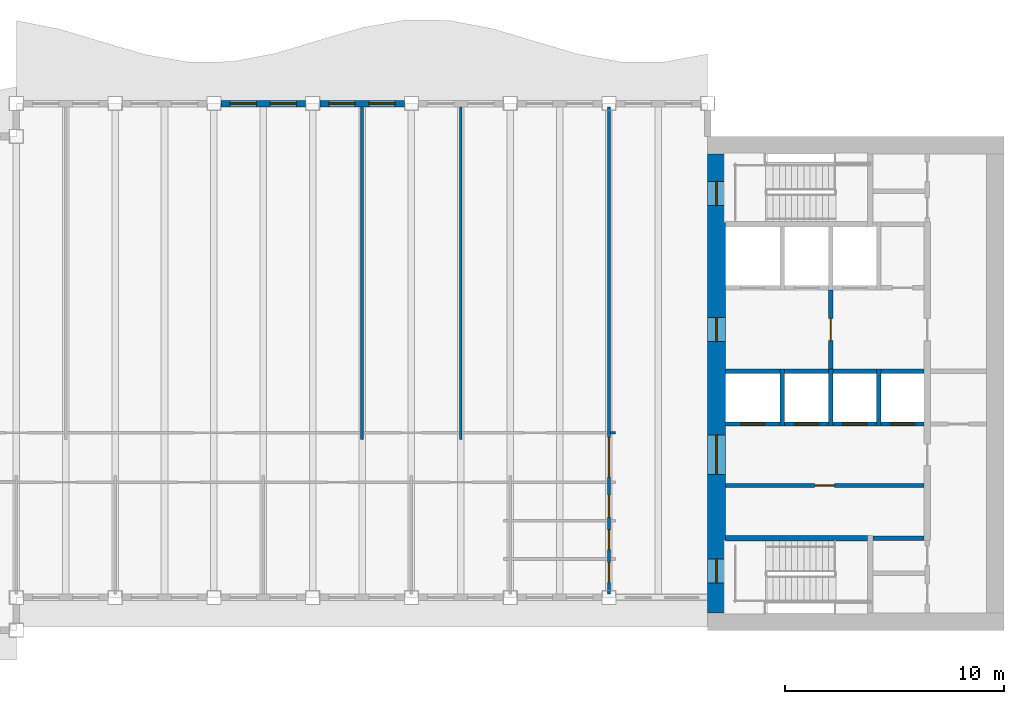
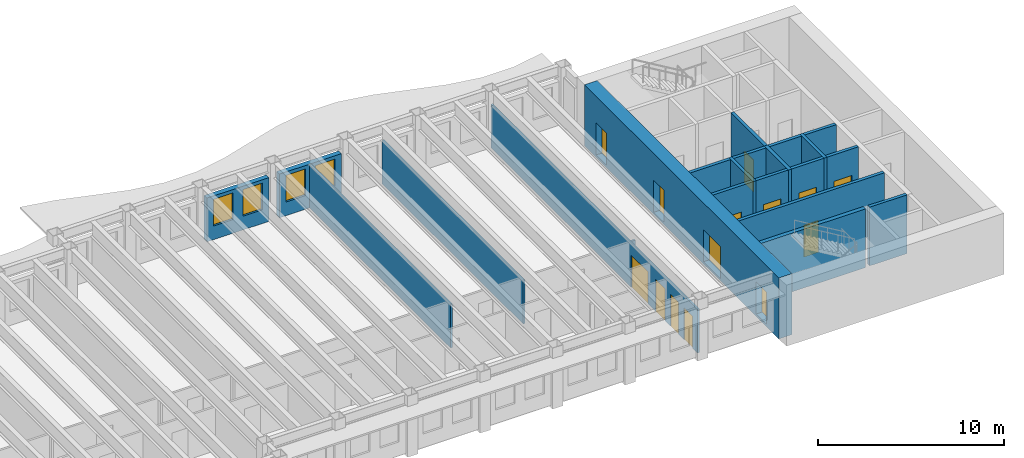
# One storey, part 5 of 12: 22 walls, 14 doors, 4 windows, 18 openings.
"""IFC4 building model written with IfcOpenShell, lengths in metres."""

from ifc_helpers import new_model, si_unit, direction, frame, frame_2d, origin, place, context, subcontext, project, spatial, rectangle, extrude, material, layer, layer_set, type_object, element, fill, save


model = new_model("IFC4")

# Units and contexts
model_context = context("Model", 3, precision=1e-05, world=origin(), true_north=direction((0.0, 1.0)))
body_context = subcontext(model_context, "Body", "Model", "MODEL_VIEW")
ifc_project = project(units=[si_unit("LENGTHUNIT", "METRE"), si_unit("AREAUNIT", "SQUARE_METRE"), si_unit("VOLUMEUNIT", "CUBIC_METRE"), si_unit("PLANEANGLEUNIT", "RADIAN"), si_unit("MASSUNIT", "GRAM", prefix="KILO")], contexts=[model_context])

# Site, building, storey
site_placement = place(None, origin())
site = spatial("IfcSite", under=ifc_project, at=site_placement, CompositionType="ELEMENT")
building_placement = place(site_placement, origin())
building = spatial("IfcBuilding", under=site, at=building_placement, Name="Sennacour Bend Tower", CompositionType="ELEMENT")
storey_placement = place(building_placement, frame((0.0, 0.0, 273.0)))
storey = spatial("IfcBuildingStorey", under=building, at=storey_placement, Name="L63", CompositionType="ELEMENT", Elevation=273.0)

# Wall, openings, doors
ifc_material_1 = material(Name="Concrete C50/60", Category="concrete")
ifc_layer_1 = layer(ifc_material_1, 0.800048828125, Name="Concrete C50/60", Category="concrete")
ifc_layer_set_1 = layer_set([ifc_layer_1], Name="Concrete C50/60")
wall_type_1 = type_object("IfcWallType", Name="Core wall 800 C50/60", PredefinedType="SHEAR", material=ifc_layer_set_1)
wall_1_placement = place(storey_placement, frame((54.39990234375, 0.800048828125, -0.14990234375), z_axis=(0.0, 0.0, 1.0), x_axis=(0.0, 1.0, 0.0)))
wall_1 = element("IfcWall", 1, at=wall_1_placement, inside=storey, type_object=wall_type_1, Name="Core A wall L63 W", PredefinedType="SHEAR", context=body_context, shape_type="SweptSolid", body=[
    extrude(rectangle(XDim=20.89990234375, YDim=0.800048828125, at=frame_2d((10.449951171875, 0.0))), origin(), (0.0, 0.0, 1.0), 4.0),
])
opening_1_placement = place(wall_1_placement, frame((6.300048828125, 0.0, 0.14990234375)))
opening_1 = element("IfcOpeningElement", 2, at=opening_1_placement, cuts=wall_1, Name="Opening CD", PredefinedType="OPENING", context=body_context, shape_type="SweptSolid", body=[
    extrude(rectangle(XDim=1.800048828125, YDim=2.10009765625, at=frame_2d((0.89990234375, 1.050048828125))), frame((0.0, 0.41015625, 0.0), z_axis=(0.0, -1.0, 0.0), x_axis=(1.0, 0.0, 0.0)), (0.0, 0.0, 1.0), 0.820068359375),
])
opening_2_placement = place(wall_1_placement, frame((12.35009765625, 0.0, 0.14990234375)))
opening_2 = element("IfcOpeningElement", 3, at=opening_2_placement, cuts=wall_1, Name="Opening FD", PredefinedType="OPENING", context=body_context, shape_type="SweptSolid", body=[
    extrude(rectangle(XDim=1.10009765625, YDim=2.10009765625, at=frame_2d((0.550048828125, 1.050048828125))), frame((0.0, 0.41015625, 0.0), z_axis=(0.0, -1.0, 0.0), x_axis=(1.0, 0.0, 0.0)), (0.0, 0.0, 1.0), 0.820068359375),
])
opening_3_placement = place(wall_1_placement, frame((1.35009765625, 0.0, 0.14990234375)))
opening_3 = element("IfcOpeningElement", 4, at=opening_3_placement, cuts=wall_1, Name="Opening SD", PredefinedType="OPENING", context=body_context, shape_type="SweptSolid", body=[
    extrude(rectangle(XDim=1.10009765625, YDim=2.10009765625, at=frame_2d((0.550048828125, 1.050048828125))), frame((0.0, 0.41015625, 0.0), z_axis=(0.0, -1.0, 0.0), x_axis=(1.0, 0.0, 0.0)), (0.0, 0.0, 1.0), 0.820068359375),
])
opening_4_placement = place(wall_1_placement, frame((18.550048828125, 0.0, 0.14990234375)))
opening_4 = element("IfcOpeningElement", 5, at=opening_4_placement, cuts=wall_1, Name="Opening SD", PredefinedType="OPENING", context=body_context, shape_type="SweptSolid", body=[
    extrude(rectangle(XDim=1.10009765625, YDim=2.10009765625, at=frame_2d((0.550048828125, 1.050048828125))), frame((0.0, 0.41015625, 0.0), z_axis=(0.0, -1.0, 0.0), x_axis=(1.0, 0.0, 0.0)), (0.0, 0.0, 1.0), 0.820068359375),
])
ifc_material_2 = material(Name="Painted steel", Category="steel")
door_type_1 = type_object("IfcDoorType", Name="DR-FFL-1100", OperationType="NOTDEFINED", PredefinedType="DOOR", material=ifc_material_2)
door_1_placement = place(opening_2_placement, origin())
door_1 = element("IfcDoor", 6, at=door_1_placement, inside=storey, type_object=door_type_1, Name="Door", OperationType="SINGLE_SWING_RIGHT", OverallHeight=2.10009765625, OverallWidth=1.10009765625, PredefinedType="DOOR", context=body_context, shape_type="SweptSolid", body=[
    extrude(rectangle(XDim=1.10009765625, YDim=2.10009765625, at=frame_2d((0.550048828125, 1.050048828125))), frame((0.0, 0.02490234375, 0.0), z_axis=(0.0, -1.0, 0.0), x_axis=(1.0, 0.0, 0.0)), (0.0, 0.0, 1.0), 0.050048828125),
])
fill(opening_2, door_1)
door_type_2 = type_object("IfcDoorType", Name="DR-LOBBY-1800", OperationType="NOTDEFINED", PredefinedType="DOOR", material=ifc_material_2)
door_2_placement = place(opening_1_placement, origin())
door_2 = element("IfcDoor", 7, at=door_2_placement, inside=storey, type_object=door_type_2, Name="Door", OperationType="DOUBLE_DOOR_SINGLE_SWING", OverallHeight=2.10009765625, OverallWidth=1.800048828125, PredefinedType="DOOR", context=body_context, shape_type="SweptSolid", body=[
    extrude(rectangle(XDim=1.800048828125, YDim=2.10009765625, at=frame_2d((0.89990234375, 1.050048828125))), frame((0.0, 0.02490234375, 0.0), z_axis=(0.0, -1.0, 0.0), x_axis=(1.0, 0.0, 0.0)), (0.0, 0.0, 1.0), 0.050048828125),
])
fill(opening_1, door_2)
door_type_3 = type_object("IfcDoorType", Name="DR-STAIR-1100", OperationType="NOTDEFINED", PredefinedType="DOOR", material=ifc_material_2)
door_3_placement = place(opening_3_placement, origin())
door_3 = element("IfcDoor", 8, at=door_3_placement, inside=storey, type_object=door_type_3, Name="Door", OperationType="SINGLE_SWING_LEFT", OverallHeight=2.10009765625, OverallWidth=1.10009765625, PredefinedType="DOOR", context=body_context, shape_type="SweptSolid", body=[
    extrude(rectangle(XDim=1.10009765625, YDim=2.10009765625, at=frame_2d((0.550048828125, 1.050048828125))), frame((0.0, 0.02490234375, 0.0), z_axis=(0.0, -1.0, 0.0), x_axis=(1.0, 0.0, 0.0)), (0.0, 0.0, 1.0), 0.050048828125),
])
fill(opening_3, door_3)
door_4_placement = place(opening_4_placement, origin())
door_4 = element("IfcDoor", 9, at=door_4_placement, inside=storey, type_object=door_type_3, Name="Door", OperationType="SINGLE_SWING_RIGHT", OverallHeight=2.10009765625, OverallWidth=1.10009765625, PredefinedType="DOOR", context=body_context, shape_type="SweptSolid", body=[
    extrude(rectangle(XDim=1.10009765625, YDim=2.10009765625, at=frame_2d((0.550048828125, 1.050048828125))), frame((0.0, 0.02490234375, 0.0), z_axis=(0.0, -1.0, 0.0), x_axis=(1.0, 0.0, 0.0)), (0.0, 0.0, 1.0), 0.050048828125),
])
fill(opening_4, door_4)

# Walls
ifc_material_3 = material(Name="Plasterboard partition on steel studs", Category="steel")
ifc_layer_2 = layer(ifc_material_3, 0.1201171875, Name="Plasterboard partition on steel studs", Category="steel")
ifc_layer_set_2 = layer_set([ifc_layer_2], Name="Plasterboard partition on steel studs")
wall_type_2 = type_object("IfcWallType", Name="Partition 120", PredefinedType="PARTITIONING", material=ifc_layer_set_2)
for number, where, z_axis, x_axis, name in (
    (10, (38.25, 8.699951171875, 0.0), (0.0, 0.0, 1.0), (0.0, 1.0, 0.0), "P-L63-W014a"),
    (11, (42.75, 8.699951171875, 0.0), (0.0, 0.0, 1.0), (0.0, 1.0, 0.0), "P-L63-W016a"),
):
    element("IfcWall", number, at=place(storey_placement, frame(where, z_axis=z_axis, x_axis=x_axis)), inside=storey, type_object=wall_type_2, Name=name, PredefinedType="PARTITIONING", context=body_context, shape_type="SweptSolid", body=[
        extrude(rectangle(XDim=15.150146484375, YDim=0.1201171875, at=frame_2d((7.5751953125, 0.0))), origin(), (0.0, 0.0, 1.0), 2.8701171875),
    ])
wall_2_placement = place(storey_placement, frame((49.56005859375, 9.0, 0.0), z_axis=(0.0, 0.0, 1.0), x_axis=(1.0, 0.0, 0.0)))
element("IfcWall", 12, at=wall_2_placement, inside=storey, type_object=wall_type_2, Name="P-L63-W044ag", PredefinedType="PARTITIONING", context=body_context, shape_type="SweptSolid", body=[
    extrude(rectangle(XDim=0.239990234375, YDim=0.1201171875, at=frame_2d((0.1201171875, 0.0))), origin(), (0.0, 0.0, 1.0), 2.8701171875),
])

# Wall, openings, doors
ifc_layer_3 = layer(ifc_material_3, 0.1201171875, Name="Plasterboard partition on steel studs", Category="steel")
ifc_layer_set_3 = layer_set([ifc_layer_3], Name="Plasterboard partition on steel studs")
wall_type_3 = type_object("IfcWallType", Name="Partition 120 EI 30", PredefinedType="PARTITIONING", material=ifc_layer_set_3)
wall_3_placement = place(storey_placement, frame((49.5, 1.64990234375, 0.0), z_axis=(0.0, 0.0, 1.0), x_axis=(0.0, 1.0, 0.0)))
wall_3 = element("IfcWall", 13, at=wall_3_placement, inside=storey, type_object=wall_type_3, Name="P-L63-W018a", PredefinedType="PARTITIONING", context=body_context, shape_type="SweptSolid", body=[
    extrude(rectangle(XDim=22.2001953125, YDim=0.1201171875, at=frame_2d((11.10009765625, 0.0))), origin(), (0.0, 0.0, 1.0), 2.8701171875),
])
opening_5_placement = place(wall_3_placement, frame((5.3251953125, 0.0, 0.0)))
opening_5 = element("IfcOpeningElement", 14, at=opening_5_placement, cuts=wall_3, Name="Opening KD3", PredefinedType="OPENING", context=body_context, shape_type="SweptSolid", body=[
    extrude(rectangle(XDim=1.800048828125, YDim=2.10009765625, at=frame_2d((0.89990234375, 1.050048828125))), frame((0.0, 0.070068359375, 0.0), z_axis=(0.0, -1.0, 0.0), x_axis=(1.0, 0.0, 0.0)), (0.0, 0.0, 1.0), 0.14013671875),
])
opening_6_placement = place(wall_3_placement, frame((0.5400390625, 0.0, 0.0)))
opening_6 = element("IfcOpeningElement", 15, at=opening_6_placement, cuts=wall_3, Name="Opening WD", PredefinedType="OPENING", context=body_context, shape_type="SweptSolid", body=[
    extrude(rectangle(XDim=0.89990234375, YDim=2.10009765625, at=frame_2d((0.449951171875, 1.050048828125))), frame((0.0, 0.070068359375, 0.0), z_axis=(0.0, -1.0, 0.0), x_axis=(1.0, 0.0, 0.0)), (0.0, 0.0, 1.0), 0.14013671875),
])
opening_7_placement = place(wall_3_placement, frame((2.025146484375, 0.0, 0.0)))
opening_7 = element("IfcOpeningElement", 16, at=opening_7_placement, cuts=wall_3, Name="Opening WD", PredefinedType="OPENING", context=body_context, shape_type="SweptSolid", body=[
    extrude(rectangle(XDim=0.89990234375, YDim=2.10009765625, at=frame_2d((0.449951171875, 1.050048828125))), frame((0.0, 0.070068359375, 0.0), z_axis=(0.0, -1.0, 0.0), x_axis=(1.0, 0.0, 0.0)), (0.0, 0.0, 1.0), 0.14013671875),
])
opening_8_placement = place(wall_3_placement, frame((3.510009765625, 0.0, 0.0)))
opening_8 = element("IfcOpeningElement", 17, at=opening_8_placement, cuts=wall_3, Name="Opening AD", PredefinedType="OPENING", context=body_context, shape_type="SweptSolid", body=[
    extrude(rectangle(XDim=1.0, YDim=2.10009765625, at=frame_2d((0.5, 1.050048828125))), frame((0.0, 0.070068359375, 0.0), z_axis=(0.0, -1.0, 0.0), x_axis=(1.0, 0.0, 0.0)), (0.0, 0.0, 1.0), 0.14013671875),
])
ifc_material_4 = material(Name="Timber", Category="wood")
door_type_4 = type_object("IfcDoorType", Name="DR-ACC-WC-1000", OperationType="NOTDEFINED", PredefinedType="DOOR", material=ifc_material_4)
door_5_placement = place(opening_8_placement, origin())
door_5 = element("IfcDoor", 18, at=door_5_placement, inside=storey, type_object=door_type_4, Name="Door", OperationType="SINGLE_SWING_LEFT", OverallHeight=2.10009765625, OverallWidth=1.0, PredefinedType="DOOR", context=body_context, shape_type="SweptSolid", body=[
    extrude(rectangle(XDim=1.0, YDim=2.10009765625, at=frame_2d((0.5, 1.050048828125))), frame((0.0, 0.02490234375, 0.0), z_axis=(0.0, -1.0, 0.0), x_axis=(1.0, 0.0, 0.0)), (0.0, 0.0, 1.0), 0.050048828125),
])
fill(opening_8, door_5)
door_type_5 = type_object("IfcDoorType", Name="DR-CORRIDOR-1800", OperationType="NOTDEFINED", PredefinedType="DOOR", material=ifc_material_2)
door_6_placement = place(opening_5_placement, origin())
door_6 = element("IfcDoor", 19, at=door_6_placement, inside=storey, type_object=door_type_5, Name="Door", OperationType="DOUBLE_DOOR_SINGLE_SWING", OverallHeight=2.10009765625, OverallWidth=1.800048828125, PredefinedType="DOOR", context=body_context, shape_type="SweptSolid", body=[
    extrude(rectangle(XDim=1.800048828125, YDim=2.10009765625, at=frame_2d((0.89990234375, 1.050048828125))), frame((0.0, 0.02490234375, 0.0), z_axis=(0.0, -1.0, 0.0), x_axis=(1.0, 0.0, 0.0)), (0.0, 0.0, 1.0), 0.050048828125),
])
fill(opening_5, door_6)
door_type_6 = type_object("IfcDoorType", Name="DR-WC-900", OperationType="NOTDEFINED", PredefinedType="DOOR", material=ifc_material_4)
door_7_placement = place(opening_6_placement, origin())
door_7 = element("IfcDoor", 20, at=door_7_placement, inside=storey, type_object=door_type_6, Name="Door", OperationType="SINGLE_SWING_LEFT", OverallHeight=2.10009765625, OverallWidth=0.89990234375, PredefinedType="DOOR", context=body_context, shape_type="SweptSolid", body=[
    extrude(rectangle(XDim=0.89990234375, YDim=2.10009765625, at=frame_2d((0.449951171875, 1.050048828125))), frame((0.0, 0.02490234375, 0.0), z_axis=(0.0, -1.0, 0.0), x_axis=(1.0, 0.0, 0.0)), (0.0, 0.0, 1.0), 0.050048828125),
])
fill(opening_6, door_7)
door_8_placement = place(opening_7_placement, origin())
door_8 = element("IfcDoor", 21, at=door_8_placement, inside=storey, type_object=door_type_6, Name="Door", OperationType="SINGLE_SWING_LEFT", OverallHeight=2.10009765625, OverallWidth=0.89990234375, PredefinedType="DOOR", context=body_context, shape_type="SweptSolid", body=[
    extrude(rectangle(XDim=0.89990234375, YDim=2.10009765625, at=frame_2d((0.449951171875, 1.050048828125))), frame((0.0, 0.02490234375, 0.0), z_axis=(0.0, -1.0, 0.0), x_axis=(1.0, 0.0, 0.0)), (0.0, 0.0, 1.0), 0.050048828125),
])
fill(opening_7, door_8)

# Wall
ifc_material_5 = material(Name="Fire-rated plasterboard partition on steel studs", Category="steel")
ifc_layer_4 = layer(ifc_material_5, 0.199951171875, Name="Fire-rated plasterboard partition on steel studs", Category="steel")
ifc_layer_set_4 = layer_set([ifc_layer_4], Name="Fire-rated plasterboard partition on steel studs")
wall_type_4 = type_object("IfcWallType", Name="Rated partition 200", PredefinedType="PARTITIONING", material=ifc_layer_set_4)
wall_4_placement = place(storey_placement, frame((61.52490234375, 4.199951171875, 0.0), z_axis=(0.0, 0.0, 1.0), x_axis=(1.0, 0.0, 0.0)))
element("IfcWall", 22, at=wall_4_placement, inside=storey, type_object=wall_type_4, Name="P-L63-W040", PredefinedType="PARTITIONING", context=body_context, shape_type="SweptSolid", body=[
    extrude(rectangle(XDim=2.3251953125, YDim=0.199951171875, at=frame_2d((1.16259765625, 0.0))), origin(), (0.0, 0.0, 1.0), 3.85009765625),
])

# Wall, opening, door
wall_5_placement = place(storey_placement, frame((54.800048828125, 6.60009765625, 0.0), z_axis=(0.0, 0.0, 1.0), x_axis=(1.0, 0.0, 0.0)))
wall_5 = element("IfcWall", 23, at=wall_5_placement, inside=storey, type_object=wall_type_4, Name="P-L63-W042", PredefinedType="PARTITIONING", context=body_context, shape_type="SweptSolid", body=[
    extrude(rectangle(XDim=9.050048828125, YDim=0.199951171875, at=frame_2d((4.52490234375, 0.0))), origin(), (0.0, 0.0, 1.0), 3.85009765625),
])
opening_9_placement = place(wall_5_placement, frame((4.074951171875, 0.0, 0.0)))
opening_9 = element("IfcOpeningElement", 24, at=opening_9_placement, cuts=wall_5, Name="Opening SV", PredefinedType="OPENING", context=body_context, shape_type="SweptSolid", body=[
    extrude(rectangle(XDim=0.89990234375, YDim=2.10009765625, at=frame_2d((0.449951171875, 1.050048828125))), frame((0.0, 0.10986328125, 0.0), z_axis=(0.0, -1.0, 0.0), x_axis=(1.0, 0.0, 0.0)), (0.0, 0.0, 1.0), 0.219970703125),
])
door_type_7 = type_object("IfcDoorType", Name="DR-SERVICE-900", OperationType="NOTDEFINED", PredefinedType="DOOR", material=ifc_material_2)
door_9_placement = place(opening_9_placement, origin())
door_9 = element("IfcDoor", 25, at=door_9_placement, inside=storey, type_object=door_type_7, Name="Door", OperationType="SINGLE_SWING_LEFT", OverallHeight=2.10009765625, OverallWidth=0.89990234375, PredefinedType="DOOR", context=body_context, shape_type="SweptSolid", body=[
    extrude(rectangle(XDim=0.89990234375, YDim=2.10009765625, at=frame_2d((0.449951171875, 1.050048828125))), frame((0.0, 0.02490234375, 0.0), z_axis=(0.0, -1.0, 0.0), x_axis=(1.0, 0.0, 0.0)), (0.0, 0.0, 1.0), 0.050048828125),
])
fill(opening_9, door_9)

ifc_layer_5 = layer(ifc_material_5, 0.199951171875, Name="Fire-rated plasterboard partition on steel studs", Category="steel")
ifc_layer_set_5 = layer_set([ifc_layer_5], Name="Fire-rated plasterboard partition on steel studs")
wall_type_5 = type_object("IfcWallType", Name="Rated partition 200 EI 90", PredefinedType="PARTITIONING", material=ifc_layer_set_5)
wall_6_placement = place(storey_placement, frame((59.60009765625, 11.89990234375, 0.0), z_axis=(0.0, 0.0, 1.0), x_axis=(0.0, 1.0, 0.0)))
wall_6 = element("IfcWall", 26, at=wall_6_placement, inside=storey, type_object=wall_type_5, Name="P-L63-W023", PredefinedType="PARTITIONING", context=body_context, shape_type="SweptSolid", body=[
    extrude(rectangle(XDim=3.60009765625, YDim=0.199951171875, at=frame_2d((1.800048828125, 0.0))), origin(), (0.0, 0.0, 1.0), 3.85009765625),
])
opening_10_placement = place(wall_6_placement, frame((1.300048828125, 0.0, 0.0)))
opening_10 = element("IfcOpeningElement", 27, at=opening_10_placement, cuts=wall_6, Name="Opening FD2", PredefinedType="OPENING", context=body_context, shape_type="SweptSolid", body=[
    extrude(rectangle(XDim=1.0, YDim=2.10009765625, at=frame_2d((0.5, 1.050048828125))), frame((0.0, 0.10986328125, 0.0), z_axis=(0.0, -1.0, 0.0), x_axis=(1.0, 0.0, 0.0)), (0.0, 0.0, 1.0), 0.219970703125),
])
door_type_8 = type_object("IfcDoorType", Name="DR-FFL-1000", OperationType="NOTDEFINED", PredefinedType="DOOR", material=ifc_material_2)
door_10_placement = place(opening_10_placement, origin())
door_10 = element("IfcDoor", 28, at=door_10_placement, inside=storey, type_object=door_type_8, Name="Door", OperationType="SINGLE_SWING_LEFT", OverallHeight=2.10009765625, OverallWidth=1.0, PredefinedType="DOOR", context=body_context, shape_type="SweptSolid", body=[
    extrude(rectangle(XDim=1.0, YDim=2.10009765625, at=frame_2d((0.5, 1.050048828125))), frame((0.0, 0.02490234375, 0.0), z_axis=(0.0, -1.0, 0.0), x_axis=(1.0, 0.0, 0.0)), (0.0, 0.0, 1.0), 0.050048828125),
])
fill(opening_10, door_10)

# Wall, openings, windows
ifc_material_6 = material(Name="Warm limestone cladding", Category="masonry")
ifc_layer_6 = layer(ifc_material_6, 0.050048828125, Name="Warm limestone cladding", Category="masonry")
ifc_material_7 = material(Name="Precast concrete C40/50", Category="concrete")
ifc_layer_7 = layer(ifc_material_7, 0.25, Name="Precast concrete C40/50", Category="concrete")
ifc_layer_set_6 = layer_set([ifc_layer_6, ifc_layer_7], Name="Precast concrete C40/50 with limestone cladding")
wall_type_6 = type_object("IfcWallType", Name="STONE-CLAD PRECAST SPANDREL 300", PredefinedType="STANDARD", material=ifc_layer_set_6)
wall_7_placement = place(storey_placement, frame((40.175048828125, 24.0, 0.0), z_axis=(0.0, 0.0, 1.0), x_axis=(-1.0, 0.0, 0.0)))
wall_7 = element("IfcWall", 29, at=wall_7_placement, inside=storey, type_object=wall_type_6, Name="Stone spandrel and pier wall L63 07.03", PredefinedType="STANDARD", context=body_context, shape_type="SweptSolid", body=[
    extrude(rectangle(XDim=3.85009765625, YDim=0.300048828125, at=frame_2d((1.925048828125, 0.0))), origin(), (0.0, 0.0, 1.0), 2.8701171875),
])
opening_11_placement = place(wall_7_placement, frame((0.41259765625, 0.0, 0.89990234375)))
opening_11 = element("IfcOpeningElement", 30, at=opening_11_placement, cuts=wall_7, Name="Opening W16", PredefinedType="OPENING", context=body_context, shape_type="SweptSolid", body=[
    extrude(rectangle(XDim=1.199951171875, YDim=1.75, at=frame_2d((0.60009765625, 0.875))), frame((0.0, 0.16015625, 0.0), z_axis=(0.0, -1.0, 0.0), x_axis=(1.0, 0.0, 0.0)), (0.0, 0.0, 1.0), 0.320068359375),
])
opening_12_placement = place(wall_7_placement, frame((2.237548828125, 0.0, 0.89990234375)))
opening_12 = element("IfcOpeningElement", 31, at=opening_12_placement, cuts=wall_7, Name="Opening W16", PredefinedType="OPENING", context=body_context, shape_type="SweptSolid", body=[
    extrude(rectangle(XDim=1.199951171875, YDim=1.75, at=frame_2d((0.60009765625, 0.875))), frame((0.0, 0.16015625, 0.0), z_axis=(0.0, -1.0, 0.0), x_axis=(1.0, 0.0, 0.0)), (0.0, 0.0, 1.0), 0.320068359375),
])
ifc_material_8 = material(Name="Clear low-emissivity glass", Category="glass")
window_type = type_object("IfcWindowType", Name="WIN-RIBBON-1200x1750", PartitioningType="SINGLE_PANEL", PredefinedType="WINDOW", material=ifc_material_8)
window_1_placement = place(opening_11_placement, origin())
window_1 = element("IfcWindow", 32, at=window_1_placement, inside=storey, type_object=window_type, Name="Ribbon window L63 07.03.0", OverallHeight=1.75, OverallWidth=1.199951171875, PartitioningType="SINGLE_PANEL", PredefinedType="WINDOW", context=body_context, shape_type="SweptSolid", body=[
    extrude(rectangle(XDim=1.199951171875, YDim=1.75, at=frame_2d((0.60009765625, 0.875))), frame((0.0, 0.030029296875, 0.0), z_axis=(0.0, -1.0, 0.0), x_axis=(1.0, 0.0, 0.0)), (0.0, 0.0, 1.0), 0.06005859375),
])
fill(opening_11, window_1)
window_2_placement = place(opening_12_placement, origin())
window_2 = element("IfcWindow", 33, at=window_2_placement, inside=storey, type_object=window_type, Name="Ribbon window L63 07.03.1", OverallHeight=1.75, OverallWidth=1.199951171875, PartitioningType="SINGLE_PANEL", PredefinedType="WINDOW", context=body_context, shape_type="SweptSolid", body=[
    extrude(rectangle(XDim=1.199951171875, YDim=1.75, at=frame_2d((0.60009765625, 0.875))), frame((0.0, 0.030029296875, 0.0), z_axis=(0.0, -1.0, 0.0), x_axis=(1.0, 0.0, 0.0)), (0.0, 0.0, 1.0), 0.06005859375),
])
fill(opening_12, window_2)

wall_8_placement = place(storey_placement, frame((35.675048828125, 24.0, 0.0), z_axis=(0.0, 0.0, 1.0), x_axis=(-1.0, 0.0, 0.0)))
wall_8 = element("IfcWall", 34, at=wall_8_placement, inside=storey, type_object=wall_type_6, Name="Stone spandrel and pier wall L63 07.04", PredefinedType="STANDARD", context=body_context, shape_type="SweptSolid", body=[
    extrude(rectangle(XDim=3.85009765625, YDim=0.300048828125, at=frame_2d((1.925048828125, 0.0))), origin(), (0.0, 0.0, 1.0), 2.8701171875),
])
opening_13_placement = place(wall_8_placement, frame((0.41259765625, 0.0, 0.89990234375)))
opening_13 = element("IfcOpeningElement", 35, at=opening_13_placement, cuts=wall_8, Name="Opening W16", PredefinedType="OPENING", context=body_context, shape_type="SweptSolid", body=[
    extrude(rectangle(XDim=1.199951171875, YDim=1.75, at=frame_2d((0.60009765625, 0.875))), frame((0.0, 0.16015625, 0.0), z_axis=(0.0, -1.0, 0.0), x_axis=(1.0, 0.0, 0.0)), (0.0, 0.0, 1.0), 0.320068359375),
])
opening_14_placement = place(wall_8_placement, frame((2.237548828125, 0.0, 0.89990234375)))
opening_14 = element("IfcOpeningElement", 36, at=opening_14_placement, cuts=wall_8, Name="Opening W16", PredefinedType="OPENING", context=body_context, shape_type="SweptSolid", body=[
    extrude(rectangle(XDim=1.199951171875, YDim=1.75, at=frame_2d((0.60009765625, 0.875))), frame((0.0, 0.16015625, 0.0), z_axis=(0.0, -1.0, 0.0), x_axis=(1.0, 0.0, 0.0)), (0.0, 0.0, 1.0), 0.320068359375),
])
window_3_placement = place(opening_13_placement, origin())
window_3 = element("IfcWindow", 37, at=window_3_placement, inside=storey, type_object=window_type, Name="Ribbon window L63 07.04.0", OverallHeight=1.75, OverallWidth=1.199951171875, PartitioningType="SINGLE_PANEL", PredefinedType="WINDOW", context=body_context, shape_type="SweptSolid", body=[
    extrude(rectangle(XDim=1.199951171875, YDim=1.75, at=frame_2d((0.60009765625, 0.875))), frame((0.0, 0.030029296875, 0.0), z_axis=(0.0, -1.0, 0.0), x_axis=(1.0, 0.0, 0.0)), (0.0, 0.0, 1.0), 0.06005859375),
])
fill(opening_13, window_3)
window_4_placement = place(opening_14_placement, origin())
window_4 = element("IfcWindow", 38, at=window_4_placement, inside=storey, type_object=window_type, Name="Ribbon window L63 07.04.1", OverallHeight=1.75, OverallWidth=1.199951171875, PartitioningType="SINGLE_PANEL", PredefinedType="WINDOW", context=body_context, shape_type="SweptSolid", body=[
    extrude(rectangle(XDim=1.199951171875, YDim=1.75, at=frame_2d((0.60009765625, 0.875))), frame((0.0, 0.030029296875, 0.0), z_axis=(0.0, -1.0, 0.0), x_axis=(1.0, 0.0, 0.0)), (0.0, 0.0, 1.0), 0.06005859375),
])
fill(opening_14, window_4)

# Walls
ifc_layer_8 = layer(ifc_material_1, 0.199951171875, Name="Concrete C50/60", Category="concrete")
ifc_layer_set_7 = layer_set([ifc_layer_8], Name="Concrete C50/60")
wall_type_7 = type_object("IfcWallType", Name="Shaft wall 200", PredefinedType="SOLIDWALL", material=ifc_layer_set_7)
for number, where, z_axis, x_axis, name in (
    (39, (57.39990234375, 9.300048828125, 0.0), (0.0, 0.0, 1.0), (0.0, 1.0, 0.0), "P-L63-W020"),
    (40, (59.60009765625, 9.300048828125, 0.0), (0.0, 0.0, 1.0), (0.0, 1.0, 0.0), "P-L63-W022"),
    (41, (61.800048828125, 9.300048828125, 0.0), (0.0, 0.0, 1.0), (0.0, 1.0, 0.0), "P-L63-W027"),
):
    element("IfcWall", number, at=place(storey_placement, frame(where, z_axis=z_axis, x_axis=x_axis)), inside=storey, type_object=wall_type_7, Name=name, PredefinedType="SOLIDWALL", context=body_context, shape_type="SweptSolid", body=[
        extrude(rectangle(XDim=2.599853515625, YDim=0.199951171875, at=frame_2d((1.2998046875, 0.0))), origin(), (0.0, 0.0, 1.0), 3.85009765625),
    ])

# Wall, opening, door
wall_9_placement = place(storey_placement, frame((54.800048828125, 9.39990234375, 0.0), z_axis=(0.0, 0.0, 1.0), x_axis=(1.0, 0.0, 0.0)))
wall_9 = element("IfcWall", 42, at=wall_9_placement, inside=storey, type_object=wall_type_7, Name="P-L63-W045a", PredefinedType="SOLIDWALL", context=body_context, shape_type="SweptSolid", body=[
    extrude(rectangle(XDim=2.5, YDim=0.199951171875, at=frame_2d((1.25, 0.0))), origin(), (0.0, 0.0, 1.0), 3.85009765625),
])
opening_15_placement = place(wall_9_placement, frame((0.699951171875, 0.0, 0.011962890625)))
opening_15 = element("IfcOpeningElement", 43, at=opening_15_placement, cuts=wall_9, Name="Opening LD", PredefinedType="OPENING", context=body_context, shape_type="SweptSolid", body=[
    extrude(rectangle(XDim=1.10009765625, YDim=2.10009765625, at=frame_2d((0.550048828125, 1.050048828125))), frame((0.0, 0.10986328125, 0.0), z_axis=(0.0, -1.0, 0.0), x_axis=(1.0, 0.0, 0.0)), (0.0, 0.0, 1.0), 0.219970703125),
])
ifc_material_9 = material(Name="Stainless steel", Category="steel")
door_type_9 = type_object("IfcDoorType", Name="DR-LANDING-1100", OperationType="NOTDEFINED", PredefinedType="DOOR", material=ifc_material_9)
door_11_placement = place(opening_15_placement, origin())
door_11 = element("IfcDoor", 44, at=door_11_placement, inside=storey, type_object=door_type_9, Name="Lift landing door HA1", OperationType="SLIDING_TO_LEFT", OverallHeight=2.10009765625, OverallWidth=1.10009765625, PredefinedType="DOOR", context=body_context, shape_type="SweptSolid", body=[
    extrude(rectangle(XDim=1.10009765625, YDim=2.10009765625, at=frame_2d((0.550048828125, 1.050048828125))), frame((0.0, 0.02490234375, 0.0), z_axis=(0.0, -1.0, 0.0), x_axis=(1.0, 0.0, 0.0)), (0.0, 0.0, 1.0), 0.050048828125),
])
fill(opening_15, door_11)

wall_10_placement = place(storey_placement, frame((57.5, 9.39990234375, 0.0), z_axis=(0.0, 0.0, 1.0), x_axis=(1.0, 0.0, 0.0)))
wall_10 = element("IfcWall", 45, at=wall_10_placement, inside=storey, type_object=wall_type_7, Name="P-L63-W045b", PredefinedType="SOLIDWALL", context=body_context, shape_type="SweptSolid", body=[
    extrude(rectangle(XDim=2.0, YDim=0.199951171875, at=frame_2d((1.0, 0.0))), origin(), (0.0, 0.0, 1.0), 3.85009765625),
])
opening_16_placement = place(wall_10_placement, frame((0.449951171875, 0.0, 0.011962890625)))
opening_16 = element("IfcOpeningElement", 46, at=opening_16_placement, cuts=wall_10, Name="Opening LD", PredefinedType="OPENING", context=body_context, shape_type="SweptSolid", body=[
    extrude(rectangle(XDim=1.10009765625, YDim=2.10009765625, at=frame_2d((0.550048828125, 1.050048828125))), frame((0.0, 0.10986328125, 0.0), z_axis=(0.0, -1.0, 0.0), x_axis=(1.0, 0.0, 0.0)), (0.0, 0.0, 1.0), 0.219970703125),
])
door_12_placement = place(opening_16_placement, origin())
door_12 = element("IfcDoor", 47, at=door_12_placement, inside=storey, type_object=door_type_9, Name="Lift landing door HA2", OperationType="SLIDING_TO_RIGHT", OverallHeight=2.10009765625, OverallWidth=1.10009765625, PredefinedType="DOOR", context=body_context, shape_type="SweptSolid", body=[
    extrude(rectangle(XDim=1.10009765625, YDim=2.10009765625, at=frame_2d((0.550048828125, 1.050048828125))), frame((0.0, 0.02490234375, 0.0), z_axis=(0.0, -1.0, 0.0), x_axis=(1.0, 0.0, 0.0)), (0.0, 0.0, 1.0), 0.050048828125),
])
fill(opening_16, door_12)

wall_11_placement = place(storey_placement, frame((59.699951171875, 9.39990234375, 0.0), z_axis=(0.0, 0.0, 1.0), x_axis=(1.0, 0.0, 0.0)))
wall_11 = element("IfcWall", 48, at=wall_11_placement, inside=storey, type_object=wall_type_7, Name="P-L63-W045c", PredefinedType="SOLIDWALL", context=body_context, shape_type="SweptSolid", body=[
    extrude(rectangle(XDim=2.0, YDim=0.199951171875, at=frame_2d((1.0, 0.0))), origin(), (0.0, 0.0, 1.0), 3.85009765625),
])
opening_17_placement = place(wall_11_placement, frame((0.449951171875, 0.0, 0.011962890625)))
opening_17 = element("IfcOpeningElement", 49, at=opening_17_placement, cuts=wall_11, Name="Opening LD", PredefinedType="OPENING", context=body_context, shape_type="SweptSolid", body=[
    extrude(rectangle(XDim=1.10009765625, YDim=2.10009765625, at=frame_2d((0.550048828125, 1.050048828125))), frame((0.0, 0.10986328125, 0.0), z_axis=(0.0, -1.0, 0.0), x_axis=(1.0, 0.0, 0.0)), (0.0, 0.0, 1.0), 0.219970703125),
])
door_13_placement = place(opening_17_placement, origin())
door_13 = element("IfcDoor", 50, at=door_13_placement, inside=storey, type_object=door_type_9, Name="Lift landing door HA3", OperationType="SLIDING_TO_LEFT", OverallHeight=2.10009765625, OverallWidth=1.10009765625, PredefinedType="DOOR", context=body_context, shape_type="SweptSolid", body=[
    extrude(rectangle(XDim=1.10009765625, YDim=2.10009765625, at=frame_2d((0.550048828125, 1.050048828125))), frame((0.0, 0.02490234375, 0.0), z_axis=(0.0, -1.0, 0.0), x_axis=(1.0, 0.0, 0.0)), (0.0, 0.0, 1.0), 0.050048828125),
])
fill(opening_17, door_13)

wall_12_placement = place(storey_placement, frame((61.89990234375, 9.39990234375, 0.0), z_axis=(0.0, 0.0, 1.0), x_axis=(1.0, 0.0, 0.0)))
wall_12 = element("IfcWall", 51, at=wall_12_placement, inside=storey, type_object=wall_type_7, Name="P-L63-W045d", PredefinedType="SOLIDWALL", context=body_context, shape_type="SweptSolid", body=[
    extrude(rectangle(XDim=1.9501953125, YDim=0.199951171875, at=frame_2d((0.97509765625, 0.0))), origin(), (0.0, 0.0, 1.0), 3.85009765625),
])
opening_18_placement = place(wall_12_placement, frame((0.425048828125, 0.0, 0.011962890625)))
opening_18 = element("IfcOpeningElement", 52, at=opening_18_placement, cuts=wall_12, Name="Opening LD", PredefinedType="OPENING", context=body_context, shape_type="SweptSolid", body=[
    extrude(rectangle(XDim=1.10009765625, YDim=2.10009765625, at=frame_2d((0.550048828125, 1.050048828125))), frame((0.0, 0.10986328125, 0.0), z_axis=(0.0, -1.0, 0.0), x_axis=(1.0, 0.0, 0.0)), (0.0, 0.0, 1.0), 0.219970703125),
])
door_14_placement = place(opening_18_placement, origin())
door_14 = element("IfcDoor", 53, at=door_14_placement, inside=storey, type_object=door_type_9, Name="Lift landing door HA4", OperationType="SLIDING_TO_RIGHT", OverallHeight=2.10009765625, OverallWidth=1.10009765625, PredefinedType="DOOR", context=body_context, shape_type="SweptSolid", body=[
    extrude(rectangle(XDim=1.10009765625, YDim=2.10009765625, at=frame_2d((0.550048828125, 1.050048828125))), frame((0.0, 0.02490234375, 0.0), z_axis=(0.0, -1.0, 0.0), x_axis=(1.0, 0.0, 0.0)), (0.0, 0.0, 1.0), 0.050048828125),
])
fill(opening_18, door_14)

# Walls
wall_13_placement = place(storey_placement, frame((54.800048828125, 11.800048828125, 0.0), z_axis=(0.0, 0.0, 1.0), x_axis=(1.0, 0.0, 0.0)))
element("IfcWall", 54, at=wall_13_placement, inside=storey, type_object=wall_type_7, Name="P-L63-W047a", PredefinedType="SOLIDWALL", context=body_context, shape_type="SweptSolid", body=[
    extrude(rectangle(XDim=2.5, YDim=0.199951171875, at=frame_2d((1.25, 0.0))), origin(), (0.0, 0.0, 1.0), 3.85009765625),
])
for number, where, z_axis, x_axis, name in (
    (55, (57.5, 11.800048828125, 0.0), (0.0, 0.0, 1.0), (1.0, 0.0, 0.0), "P-L63-W047b"),
    (56, (59.699951171875, 11.800048828125, 0.0), (0.0, 0.0, 1.0), (1.0, 0.0, 0.0), "P-L63-W047c"),
):
    element("IfcWall", number, at=place(storey_placement, frame(where, z_axis=z_axis, x_axis=x_axis)), inside=storey, type_object=wall_type_7, Name=name, PredefinedType="SOLIDWALL", context=body_context, shape_type="SweptSolid", body=[
        extrude(rectangle(XDim=2.0, YDim=0.199951171875, at=frame_2d((1.0, 0.0))), origin(), (0.0, 0.0, 1.0), 3.85009765625),
    ])
wall_14_placement = place(storey_placement, frame((61.89990234375, 11.800048828125, 0.0), z_axis=(0.0, 0.0, 1.0), x_axis=(1.0, 0.0, 0.0)))
element("IfcWall", 57, at=wall_14_placement, inside=storey, type_object=wall_type_7, Name="P-L63-W047d", PredefinedType="SOLIDWALL", context=body_context, shape_type="SweptSolid", body=[
    extrude(rectangle(XDim=1.9501953125, YDim=0.199951171875, at=frame_2d((0.97509765625, 0.0))), origin(), (0.0, 0.0, 1.0), 3.85009765625),
])
ifc_material_10 = material(Name="Concrete C60/75", Category="concrete")
ifc_layer_9 = layer(ifc_material_10, 0.25, Name="Concrete C60/75", Category="concrete")
ifc_layer_set_8 = layer_set([ifc_layer_9], Name="Concrete C60/75")
wall_type_8 = type_object("IfcWallType", Name="Stair wall 250", PredefinedType="SHEAR", material=ifc_layer_set_8)
wall_15_placement = place(storey_placement, frame((54.800048828125, 4.199951171875, 0.0), z_axis=(0.0, 0.0, 1.0), x_axis=(1.0, 0.0, 0.0)))
element("IfcWall", 58, at=wall_15_placement, inside=storey, type_object=wall_type_8, Name="P-L63-W039", PredefinedType="SHEAR", context=body_context, shape_type="SweptSolid", body=[
    extrude(rectangle(XDim=6.474853515625, YDim=0.25, at=frame_2d((3.2373046875, 0.0))), origin(), (0.0, 0.0, 1.0), 3.85009765625),
])

save(model, "model.ifc")
